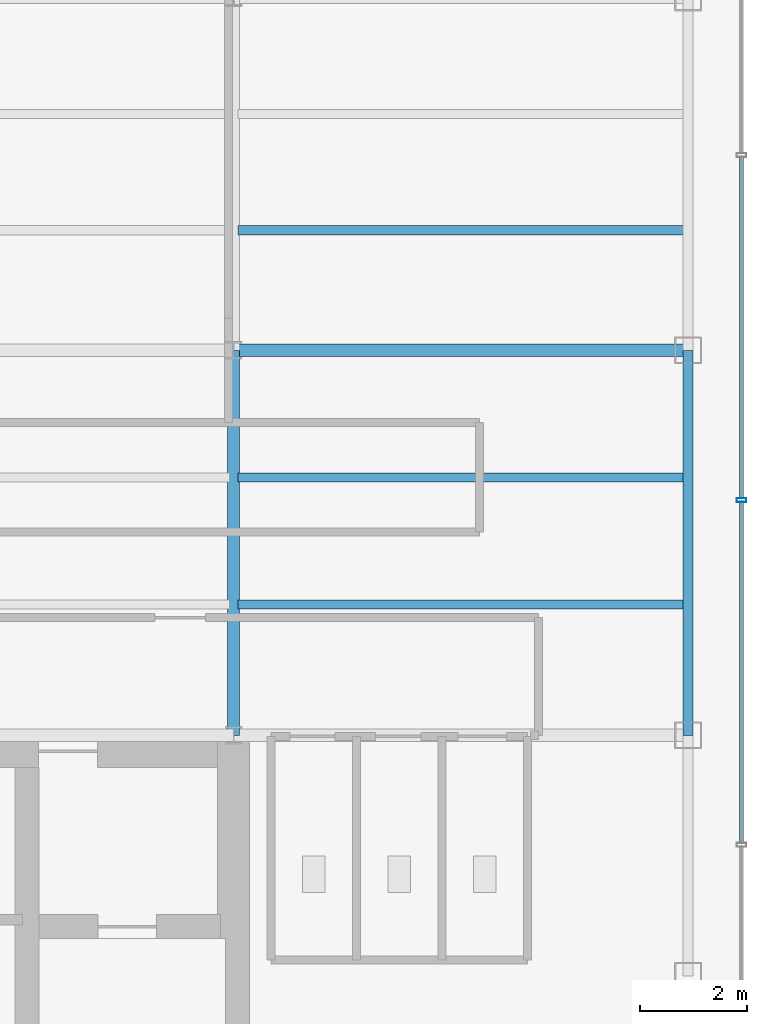
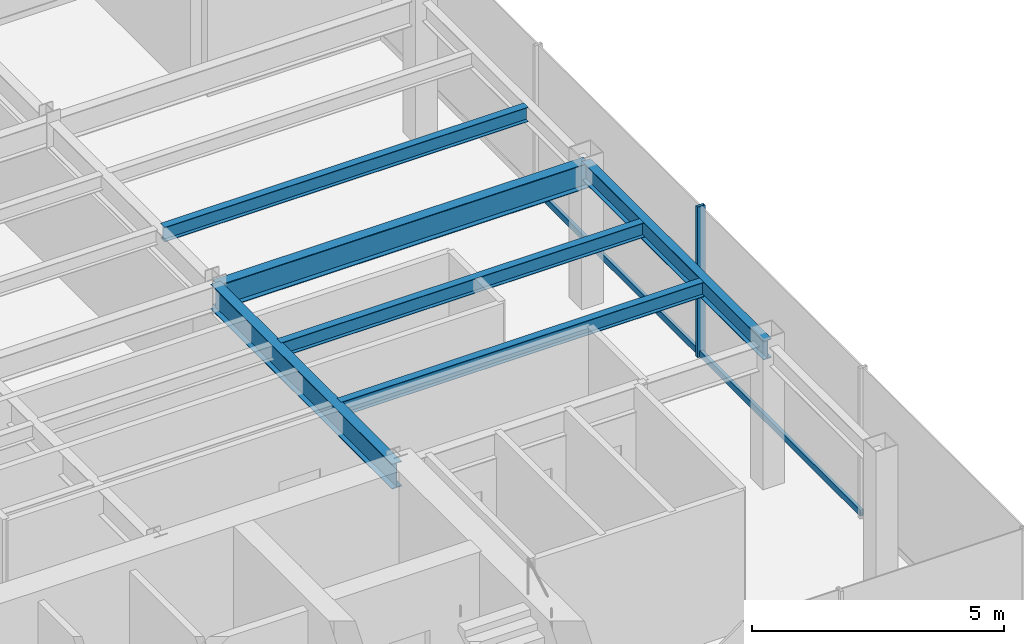
# One storey, part 10 of 22: 6 beams, 3 members, 1 element without a shape of its own.
"""IFC4 building model written with IfcOpenShell, lengths in metres."""

from ifc_helpers import new_model, si_unit, derived_unit, direction, frame, origin, origin_2d, place, context, subcontext, project, spatial, hollow_rectangle, i_section, extrude, source, transform, mapped, material, material_profile, profile_set, type_object, element, aggregate, save


model = new_model("IFC4")

# Units and contexts
model_context = context("Model", 3, precision=1e-05, world=origin(), true_north=direction((0.0, 1.0)))
body_context = subcontext(model_context, "Body", "Model", "MODEL_VIEW")
ifc_project = project(units=[si_unit("LENGTHUNIT", "METRE"), si_unit("AREAUNIT", "SQUARE_METRE"), si_unit("VOLUMEUNIT", "CUBIC_METRE"), si_unit("PLANEANGLEUNIT", "RADIAN"), si_unit("MASSUNIT", "GRAM", prefix="KILO"), derived_unit("THERMALTRANSMITTANCEUNIT", [(si_unit("POWERUNIT", "WATT"), 1), (si_unit("LENGTHUNIT", "METRE"), -2), (si_unit("THERMODYNAMICTEMPERATUREUNIT", "KELVIN"), -1)])], contexts=[model_context])

# Site, building, storey
site_placement = place(None, origin())
site = spatial("IfcSite", under=ifc_project, at=site_placement, CompositionType="ELEMENT")
building_placement = place(site_placement, origin())
building = spatial("IfcBuilding", under=site, at=building_placement, Name="Skarnbrae Concourse Arena and Tower", CompositionType="ELEMENT")
storey_placement = place(building_placement, frame((0.0, 0.0, 217.800048828125)))
storey = spatial("IfcBuildingStorey", under=building, at=storey_placement, Name="L56", CompositionType="ELEMENT", Elevation=217.800048828125)

# Beams
ifc_material_1 = material(Name="Steel CSA G40.21 350W", Category="steel")
ifc_material_profile_1 = material_profile(ifc_material_1, i_section(OverallWidth=0.22802734375, OverallDepth=0.60791015625, WebThickness=0.01123046875, FlangeThickness=0.017333984375, at=origin_2d()), Name="W610X113")
ifc_profile_set_1 = profile_set([ifc_material_profile_1], Name="Steel CSA G40.21 350W")
beam_type_1 = type_object("IfcBeamType", Name="BM-GIRD-W610X113", PredefinedType="BEAM", material=ifc_profile_set_1)
shared_shape_1 = source(origin(), body_context, "Body", "SweptSolid", [
    extrude(i_section(OverallWidth=0.22802734375, OverallDepth=0.60791015625, WebThickness=0.01123046875, FlangeThickness=0.017333984375, at=origin_2d()), origin(), (0.0, 0.0, 1.0), 8.5),
])
beam_1_placement = place(storey_placement, frame((33.5, 21.199951171875, 3.095947265625), z_axis=(1.0, 0.0, 0.0), x_axis=(0.0, 1.0, 0.0)))
element("IfcBeam", 1, at=beam_1_placement, inside=storey, type_object=beam_type_1, Name="L56 Primary E-W girder Y21.2-6", PredefinedType="BEAM", context=body_context, shape_type="MappedRepresentation", body=[
    mapped(shared_shape_1, transform((0.0, 0.0, 0.0))),
])
ifc_material_profile_2 = material_profile(ifc_material_1, i_section(OverallWidth=0.19091796875, OverallDepth=0.4599609375, WebThickness=0.010009765625, FlangeThickness=0.01611328125, at=origin_2d()), Name="W460X82")
ifc_profile_set_2 = profile_set([ifc_material_profile_2], Name="Steel CSA G40.21 350W")
beam_type_2 = type_object("IfcBeamType", Name="BM-SPAN-W460X82", PredefinedType="SPANDREL", material=ifc_profile_set_2)
shared_shape_2 = source(origin(), body_context, "Body", "SweptSolid", [
    extrude(i_section(OverallWidth=0.19091796875, OverallDepth=0.4599609375, WebThickness=0.010009765625, FlangeThickness=0.01611328125, at=origin_2d()), origin(), (0.0, 0.0, 1.0), 7.199951171875),
])
beam_2_placement = place(storey_placement, frame((42.0, 14.0, 3.169921875), z_axis=(0.0, 1.0, 0.0), x_axis=(-1.0, 0.0, 0.0)))
element("IfcBeam", 2, at=beam_2_placement, inside=storey, type_object=beam_type_2, Name="L56 Perimeter spandrel X42.0-2", PredefinedType="SPANDREL", context=body_context, shape_type="MappedRepresentation", body=[
    mapped(shared_shape_2, transform((0.0, 0.0, 0.0))),
])
shared_shape_3 = source(origin(), body_context, "Body", "SweptSolid", [
    extrude(i_section(OverallWidth=0.22802734375, OverallDepth=0.60791015625, WebThickness=0.01123046875, FlangeThickness=0.017333984375, at=origin_2d()), origin(), (0.0, 0.0, 1.0), 7.199951171875),
])
beam_3_placement = place(storey_placement, frame((33.5, 14.0, 3.095947265625), z_axis=(0.0, 1.0, 0.0), x_axis=(-1.0, 0.0, 0.0)))
element("IfcBeam", 3, at=beam_3_placement, inside=storey, type_object=beam_type_1, Name="L56 Primary N-S girder X33.5-1", PredefinedType="BEAM", context=body_context, shape_type="MappedRepresentation", body=[
    mapped(shared_shape_3, transform((0.0, 0.0, 0.0))),
])
ifc_material_profile_3 = material_profile(ifc_material_1, i_section(OverallWidth=0.1708984375, OverallDepth=0.35498046875, WebThickness=0.007080078125, FlangeThickness=0.01171875, at=origin_2d()), Name="W360X51")
ifc_profile_set_3 = profile_set([ifc_material_profile_3], Name="Steel CSA G40.21 350W")
beam_type_3 = type_object("IfcBeamType", Name="BM-JOIST-W360X51", PredefinedType="JOIST", material=ifc_profile_set_3)
shared_shape_4 = source(origin(), body_context, "Body", "SweptSolid", [
    extrude(i_section(OverallWidth=0.1708984375, OverallDepth=0.35498046875, WebThickness=0.007080078125, FlangeThickness=0.01171875, at=origin_2d()), origin(), (0.0, 0.0, 1.0), 8.33984375),
])
for number, where, z_axis, x_axis, name in (
    (4, (33.580078125, 16.447998046875, 3.222412109375), (1.0, 0.0, 0.0), (0.0, 1.0, 0.0), "L56 Secondary floor joist 1.1.6"),
    (5, (33.580078125, 18.823974609375, 3.222412109375), (1.0, 0.0, 0.0), (0.0, 1.0, 0.0), "L56 Secondary floor joist 1.2.6"),
    (6, (33.580078125, 23.444091796875, 3.222412109375), (1.0, 0.0, 0.0), (0.0, 1.0, 0.0), "L56 Secondary floor joist 2.1.6"),
):
    element("IfcBeam", number, at=place(storey_placement, frame(where, z_axis=z_axis, x_axis=x_axis)), inside=storey, type_object=beam_type_3, Name=name, PredefinedType="JOIST", context=body_context, shape_type="MappedRepresentation", body=[
        mapped(shared_shape_4, transform((0.0, 0.0, 0.0))),
    ])

# Curtain wall, members
ifc_material_2 = material(Name="Bronze anodised aluminium 6063-T6", Category="aluminium")
curtain_wall_type = type_object("IfcCurtainWallType", Name="CW-SYS-05-HIGHZONE", PredefinedType="USERDEFINED", material=ifc_material_2)
curtain_wall_placement = place(storey_placement, origin())
curtain_wall = element("IfcCurtainWall", 7, at=curtain_wall_placement, inside=storey, type_object=curtain_wall_type, Name="L56 Unitised curtain wall CW-L56-E04", ObjectType="UNITISED CURTAIN WALL", PredefinedType="USERDEFINED")
ifc_material_profile_4 = material_profile(ifc_material_2, hollow_rectangle(XDim=0.074951171875, YDim=0.179931640625, WallThickness=0.00390625, at=origin_2d()), Name="ALU-MULL-75X180")
ifc_profile_set_4 = profile_set([ifc_material_profile_4], Name="Bronze anodised aluminium 6063-T6")
member_type_1 = type_object("IfcMemberType", Name="CWM-CW-05", PredefinedType="MULLION", material=ifc_profile_set_4)
shared_shape_5 = source(origin(), body_context, "Body", "SweptSolid", [
    extrude(hollow_rectangle(XDim=0.074951171875, YDim=0.179931640625, WallThickness=0.00390625, at=origin_2d()), origin(), (0.0, 0.0, 1.0), 3.64990234375),
])
member_1_placement = place(storey_placement, frame((43.0, 18.39990234375, 0.0), z_axis=(0.0, 0.0, 1.0), x_axis=(0.0, 1.0, 0.0)))
member_1 = element("IfcMember", 8, at=member_1_placement, type_object=member_type_1, Name="CW-L56-E04 Mullion 3", PredefinedType="MULLION", context=body_context, shape_type="MappedRepresentation", body=[
    mapped(shared_shape_5, transform((0.0, 0.0, 0.0))),
])
ifc_material_profile_5 = material_profile(ifc_material_2, hollow_rectangle(XDim=0.074951171875, YDim=0.14990234375, WallThickness=0.00390625, at=origin_2d()), Name="ALU-TRAN-75X150")
ifc_profile_set_5 = profile_set([ifc_material_profile_5], Name="Bronze anodised aluminium 6063-T6")
member_type_2 = type_object("IfcMemberType", Name="CWT-CW-05", PredefinedType="USERDEFINED", material=ifc_profile_set_5)
shared_shape_6 = source(origin(), body_context, "Body", "SweptSolid", [
    extrude(hollow_rectangle(XDim=0.074951171875, YDim=0.14990234375, WallThickness=0.00390625, at=origin_2d()), origin(), (0.0, 0.0, 1.0), 6.375),
])
member_2_placement = place(storey_placement, frame((43.0, 11.987548828125, 0.074951171875), z_axis=(0.0, 1.0, 0.0), x_axis=(-1.0, 0.0, 0.0)))
member_2 = element("IfcMember", 9, at=member_2_placement, type_object=member_type_2, Name="CW-L56-E04 Transom 2", ObjectType="TRANSOM", PredefinedType="USERDEFINED", context=body_context, shape_type="MappedRepresentation", body=[
    mapped(shared_shape_6, transform((0.0, 0.0, 0.0))),
])
member_3_placement = place(storey_placement, frame((43.0, 18.4375, 0.074951171875), z_axis=(0.0, 1.0, 0.0), x_axis=(-1.0, 0.0, 0.0)))
member_3 = element("IfcMember", 10, at=member_3_placement, type_object=member_type_2, Name="CW-L56-E04 Transom 3", ObjectType="TRANSOM", PredefinedType="USERDEFINED", context=body_context, shape_type="MappedRepresentation", body=[
    mapped(shared_shape_6, transform((0.0, 0.0, 0.0))),
])
aggregate(curtain_wall, [member_1, member_2, member_3])

save(model, "model.ifc")
